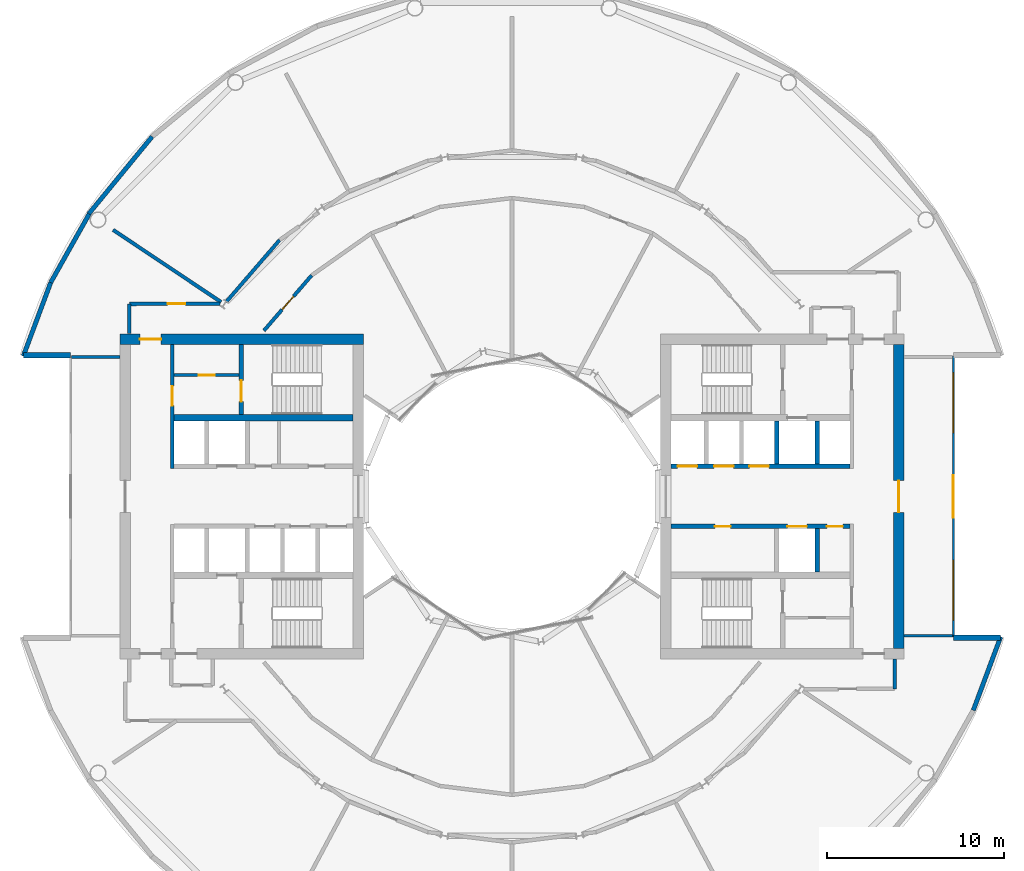
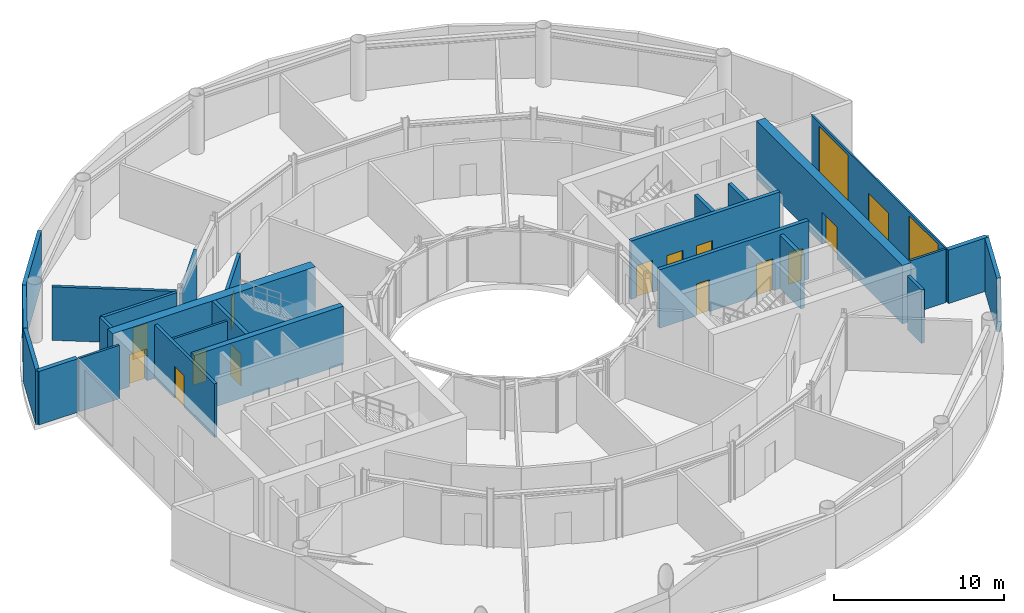
# One storey, part 13 of 18: 26 walls, 14 doors, 2 windows, 16 openings.
"""IFC4 building model written with IfcOpenShell, lengths in metres."""

import ifcopenshell
import ifcopenshell.guid

model = None  # the IFC model being written
_history = None  # IfcOwnerHistory: only IFC2X3 demands one
_inside = {}  # id of a spatial element -> (the spatial element, [elements in it])
_under = {}  # id of a project, library or spatial element -> (it, [spatial elements below it])
_declared = {}  # id of a project -> (the project, [libraries it declares])
_typed = {}  # id of a type object -> (the type object, [elements of that type])
_made_of = {}  # id of a material, layer set ... -> (it, [elements and type objects made of it])


def new_model(schema):
    """Start an empty IFC model of exactly this schema.

    Asked for "IFC4X3", IfcOpenShell would pick the latest addendum, in which some entities
    have other attributes; the version numbers below select the first issue.
    IFC2X3 requires an IfcOwnerHistory on every rooted entity: one is made here for all.
    """
    global model, _history
    if schema == "IFC4X3":
        model = ifcopenshell.file(schema_version=(4, 3, 0, 0))
    else:
        model = ifcopenshell.file(schema=schema)
    _inside.clear()
    _under.clear()
    _declared.clear()
    _typed.clear()
    _made_of.clear()
    _history = None
    if model.schema == "IFC2X3":
        org = make("IfcOrganization", Name="unknown")
        user = make(
            "IfcPersonAndOrganization",
            ThePerson=make("IfcPerson", FamilyName="unknown"),
            TheOrganization=org,
        )
        app = make(
            "IfcApplication",
            ApplicationDeveloper=org,
            Version="unknown",
            ApplicationFullName="unknown",
            ApplicationIdentifier="unknown",
        )
        _history = make(
            "IfcOwnerHistory",
            OwningUser=user,
            OwningApplication=app,
            ChangeAction="ADDED",
            CreationDate=0,
        )
    return model


def make(cls, **values):
    """One entity of the class cls with the attributes given. An attribute that is None is left unset."""
    return model.create_entity(
        cls, **{name: value for name, value in values.items() if value is not None}
    )


def rooted(cls, **values):
    """An entity with a GlobalId (a new one), such as an element, a storey or a relation."""
    return make(cls, GlobalId=ifcopenshell.guid.new(), OwnerHistory=_history, **values)


def si_unit(unit_type, name, prefix=None):
    """IfcSIUnit, for example si_unit("LENGTHUNIT", "METRE", prefix="MILLI")."""
    return make("IfcSIUnit", UnitType=unit_type, Prefix=prefix, Name=name)


def assignment(units):
    """IfcUnitAssignment: the units of a project."""
    return None if units is None else make("IfcUnitAssignment", Units=units)


def point(xyz):
    """IfcCartesianPoint."""
    return None if xyz is None else make("IfcCartesianPoint", Coordinates=xyz)


def direction(xyz):
    """IfcDirection."""
    return None if xyz is None else make("IfcDirection", DirectionRatios=xyz)


def frame(location, z_axis=None, x_axis=None):
    """IfcAxis2Placement3D, a coordinate frame: its origin and axes. An axis left out is left unset."""
    return make(
        "IfcAxis2Placement3D",
        Location=point(location),
        Axis=direction(z_axis),
        RefDirection=direction(x_axis),
    )


def frame_2d(location, x_axis=None):
    """IfcAxis2Placement2D, a coordinate frame in the plane: its origin and x axis."""
    return make(
        "IfcAxis2Placement2D", Location=point(location), RefDirection=direction(x_axis)
    )


def origin():
    """The frame at (0, 0, 0) with its axes left unset."""
    return frame((0.0, 0.0, 0.0))


def place(relative_to, where):
    """IfcLocalPlacement: puts the frame where relative to a parent placement (None: the world)."""
    return make(
        "IfcLocalPlacement", PlacementRelTo=relative_to, RelativePlacement=where
    )


def context(
    kind, dimensions, precision=None, world=None, true_north=None, identifier=None
):
    """IfcGeometricRepresentationContext, for example the 3D "Model" context."""
    return make(
        "IfcGeometricRepresentationContext",
        ContextIdentifier=identifier,
        ContextType=kind,
        CoordinateSpaceDimension=dimensions,
        Precision=precision,
        WorldCoordinateSystem=world,
        TrueNorth=true_north,
    )


def subcontext(parent, identifier, kind, view, scale=None):
    """IfcGeometricRepresentationSubContext, for example "Body" below "Model"."""
    return make(
        "IfcGeometricRepresentationSubContext",
        ContextIdentifier=identifier,
        ContextType=kind,
        ParentContext=parent,
        TargetScale=scale,
        TargetView=view,
    )


def project(units=None, contexts=None):
    """IfcProject with its units and contexts."""
    return rooted(
        "IfcProject",
        Name="project",
        RepresentationContexts=contexts,
        UnitsInContext=assignment(units),
    )


def spatial(cls, under=None, at=None, **own):
    """A site, building, storey or space (cls), placed at a placement, below another one or the project."""
    s = rooted(cls, ObjectPlacement=at, **own)
    if under is not None:
        _under.setdefault(under.id(), (under, []))[1].append(s)
    return s


def profile(cls, at=None, kind="AREA", **sizes):
    """A parametric profile (cls). Its sizes go by their IFC names, for example OverallWidth=200.0."""
    return make(cls, ProfileType=kind, Position=at, **sizes)


def rectangle(**sizes):
    """IfcRectangleProfileDef."""
    return profile("IfcRectangleProfileDef", **sizes)


def extrude(swept, where, along, depth):
    """IfcExtrudedAreaSolid: the profile swept, set in the frame where, extruded along a direction by depth."""
    return make(
        "IfcExtrudedAreaSolid",
        SweptArea=swept,
        Position=where,
        ExtrudedDirection=direction(along),
        Depth=depth,
    )


def shape(context_of_items, identifier, shape_type, items):
    """IfcShapeRepresentation: the items that make up one representation, for example the "Body"."""
    return make(
        "IfcShapeRepresentation",
        ContextOfItems=context_of_items,
        RepresentationIdentifier=identifier,
        RepresentationType=shape_type,
        Items=items,
    )


def material(Name=None, Category=None):
    """IfcMaterial."""
    return make("IfcMaterial", Name=Name, Category=Category)


def layer(
    of_material, thickness, ventilated=None, Name=None, Category=None, Priority=None
):
    """IfcMaterialLayer: one layer of a wall or slab, of a material (None: an air gap)."""
    return make(
        "IfcMaterialLayer",
        Material=of_material,
        LayerThickness=thickness,
        IsVentilated=ventilated,
        Name=Name,
        Category=Category,
        Priority=Priority,
    )


def layer_set(layers, Name=None):
    """IfcMaterialLayerSet."""
    return make("IfcMaterialLayerSet", MaterialLayers=layers, LayerSetName=Name)


def made_of(thing, what):
    """Note that an element or type object is made of a material, layer set ...; save() writes the relation."""
    if what is not None:
        _made_of.setdefault(what.id(), (what, []))[1].append(thing)
    return thing


def type_object(cls, material=None, **own):
    """A type object (cls), such as IfcWallType, which elements share."""
    return made_of(rooted(cls, **own), material)


def element(
    cls,
    number,
    at=None,
    inside=None,
    cuts=None,
    type_object=None,
    material=None,
    context=None,
    identifier="Body",
    shape_type=None,
    held_by="IfcProductDefinitionShape",
    body=None,
    shapes=None,
    **own,
):
    """One element of the class cls, such as IfcWall. Its Tag is "e" and its number.

    at: its placement. inside: the storey or other place that contains it. cuts: it is an
    opening in that element (IfcRelVoidsElement). A single representation is given by context,
    identifier, shape_type and body (its items); several are given by shapes. held_by: the class
    of the entity that holds the representations. save() writes the other relations.
    """
    e = rooted(cls, Tag="e%d" % number, ObjectPlacement=at, **own)
    if body is not None:
        shapes = [shape(context, identifier, shape_type, body)]
    if shapes is not None:
        e.Representation = make(held_by, Representations=shapes)
    if inside is not None:
        _inside.setdefault(inside.id(), (inside, []))[1].append(e)
    if cuts is not None:
        rooted(
            "IfcRelVoidsElement", RelatingBuildingElement=cuts, RelatedOpeningElement=e
        )
    if type_object is not None:
        _typed.setdefault(type_object.id(), (type_object, []))[1].append(e)
    return made_of(e, material)


def fill(opening, filler):
    """IfcRelFillsElement: the door or window that sits in an opening."""
    return rooted(
        "IfcRelFillsElement",
        RelatingOpeningElement=opening,
        RelatedBuildingElement=filler,
    )


def aggregate(whole, parts):
    """IfcRelAggregates: a whole, such as a stair, and the parts it consists of."""
    return rooted("IfcRelAggregates", RelatingObject=whole, RelatedObjects=parts)


def save(model, path):
    """Write the relations noted so far, then the file.

    IfcRelAggregates (storeys below a building ...), IfcRelContainedInSpatialStructure (elements
    in a storey), IfcRelDefinesByType, IfcRelAssociatesMaterial and IfcRelDeclares: one each for
    every whole, place, type object, material and project.
    """
    for whole, parts in _under.values():
        aggregate(whole, parts)
    for where, things in _inside.values():
        rooted(
            "IfcRelContainedInSpatialStructure",
            RelatedElements=things,
            RelatingStructure=where,
        )
    for kind, things in _typed.values():
        rooted("IfcRelDefinesByType", RelatedObjects=things, RelatingType=kind)
    for what, things in _made_of.values():
        rooted("IfcRelAssociatesMaterial", RelatedObjects=things, RelatingMaterial=what)
    for by, libraries in _declared.values():
        rooted("IfcRelDeclares", RelatingContext=by, RelatedDefinitions=libraries)
    model.write(path)


model = new_model("IFC4")

# Units and contexts
model_context = context("Model", 3, precision=1e-05, world=origin(), true_north=direction((0.0, 1.0)))
body_context = subcontext(model_context, "Body", "Model", "MODEL_VIEW")
ifc_project = project(units=[si_unit("LENGTHUNIT", "METRE"), si_unit("AREAUNIT", "SQUARE_METRE"), si_unit("VOLUMEUNIT", "CUBIC_METRE"), si_unit("PLANEANGLEUNIT", "RADIAN"), si_unit("MASSUNIT", "GRAM", prefix="KILO")], contexts=[model_context])

# Site, building, storey
site_placement = place(None, origin())
site = spatial("IfcSite", under=ifc_project, at=site_placement, CompositionType="ELEMENT")
building_placement = place(site_placement, origin())
building = spatial("IfcBuilding", under=site, at=building_placement, Name="Maasbend Ring Residences", CompositionType="ELEMENT")
storey_placement = place(building_placement, frame((0.0, 0.0, 103.25)))
storey = spatial("IfcBuildingStorey", under=building, at=storey_placement, Name="L29", CompositionType="ELEMENT", Elevation=103.25)

# Walls
ifc_material_1 = material(Name="Concrete C30/37", Category="concrete")
ifc_layer_1 = layer(ifc_material_1, 0.199951171875)
ifc_layer_set_1 = layer_set([ifc_layer_1], Name="Concrete C30/37")
wall_type_1 = type_object("IfcWallType", Name="COMPARTMENT WALL 200 CONCRETE", PredefinedType="PARTITIONING", material=ifc_layer_set_1)
wall_1_placement = place(storey_placement, frame((21.675048828125, -10.89990234375, 0.0), z_axis=(0.0, 0.0, 1.0), x_axis=(0.0, 1.0, 0.0)))
element("IfcWall", 1, at=wall_1_placement, inside=storey, type_object=wall_type_1, Name="U-L29-w002", PredefinedType="PARTITIONING", context=body_context, shape_type="SweptSolid", body=[
    extrude(rectangle(XDim=1.679931640625, YDim=0.199951171875, at=frame_2d((0.83984375, 0.0))), origin(), (0.0, 0.0, 1.0), 3.85009765625),
])
wall_2_placement = place(storey_placement, frame((-22.594970703125, 15.097900390625, 0.0), z_axis=(0.0, 0.0, 1.0), x_axis=(0.831406593008, -0.555664536482, 0.0)))
element("IfcWall", 2, at=wall_2_placement, inside=storey, type_object=wall_type_1, Name="U-L29-w031", PredefinedType="PARTITIONING", context=body_context, shape_type="SweptSolid", body=[
    extrude(rectangle(XDim=7.3583984375, YDim=0.199951171875, at=frame_2d((3.67919921875, 0.0))), origin(), (0.0, 0.0, 1.0), 3.85009765625),
])

# Wall, opening, door
wall_3_placement = place(storey_placement, frame((-21.675048828125, 10.89990234375, 0.0), z_axis=(0.0, 0.0, 1.0), x_axis=(0.999997173357, 0.002377662213, 0.0)))
wall_3 = element("IfcWall", 3, at=wall_3_placement, inside=storey, type_object=wall_type_1, Name="U-L29-w050", PredefinedType="PARTITIONING", context=body_context, shape_type="SweptSolid", body=[
    extrude(rectangle(XDim=5.134033203125, YDim=0.199951171875, at=frame_2d((2.56689453125, 0.0))), origin(), (0.0, 0.0, 1.0), 3.85009765625),
])
opening_1_placement = place(wall_3_placement, frame((2.1708984375, 0.0, 0.0)))
opening_1 = element("IfcOpeningElement", 4, at=opening_1_placement, cuts=wall_3, Name="Opening D-2920", PredefinedType="OPENING", context=body_context, shape_type="SweptSolid", body=[
    extrude(rectangle(XDim=1.0, YDim=2.300048828125, at=frame_2d((0.5, 1.14990234375))), frame((0.0, 0.10986328125, 0.0), z_axis=(0.0, -1.0, 0.0), x_axis=(1.0, 0.0, 0.0)), (0.0, 0.0, 1.0), 0.219970703125),
])
ifc_material_2 = material(Name="Steel, fire-rated, painted", Category="steel")
door_type_1 = type_object("IfcDoorType", Name="PLANT DOOR 1000 X 2300 FIRE-RATED", OperationType="NOTDEFINED", PredefinedType="DOOR", material=ifc_material_2)
door_1_placement = place(opening_1_placement, origin())
door_1 = element("IfcDoor", 5, at=door_1_placement, inside=storey, type_object=door_type_1, Name="D-2920", OperationType="SINGLE_SWING_RIGHT", OverallHeight=2.300048828125, OverallWidth=1.0, PredefinedType="DOOR", context=body_context, shape_type="SweptSolid", body=[
    extrude(rectangle(XDim=1.0, YDim=2.300048828125, at=frame_2d((0.5, 1.14990234375))), frame((0.0, 0.02490234375, 0.0), z_axis=(0.0, -1.0, 0.0), x_axis=(1.0, 0.0, 0.0)), (0.0, 0.0, 1.0), 0.050048828125),
])
fill(opening_1, door_1)

wall_4_placement = place(storey_placement, frame((-14.052001953125, 9.388916015625, 0.0), z_axis=(0.0, 0.0, 1.0), x_axis=(0.653212695939, 0.757174467256, 0.0)))
wall_4 = element("IfcWall", 6, at=wall_4_placement, inside=storey, type_object=wall_type_1, Name="U-L29-w052", PredefinedType="PARTITIONING", context=body_context, shape_type="SweptSolid", body=[
    extrude(rectangle(XDim=4.137939453125, YDim=0.199951171875, at=frame_2d((2.06884765625, 0.0))), origin(), (0.0, 0.0, 1.0), 3.85009765625),
])
opening_2_placement = place(wall_4_placement, frame((1.569091796875, 0.0, 0.0)))
opening_2 = element("IfcOpeningElement", 7, at=opening_2_placement, cuts=wall_4, Name="Opening D-2910", PredefinedType="OPENING", context=body_context, shape_type="SweptSolid", body=[
    extrude(rectangle(XDim=1.0, YDim=2.300048828125, at=frame_2d((0.5, 1.14990234375))), frame((0.0, 0.10986328125, 0.0), z_axis=(0.0, -1.0, 0.0), x_axis=(1.0, 0.0, 0.0)), (0.0, 0.0, 1.0), 0.219970703125),
])
door_2_placement = place(opening_2_placement, origin())
door_2 = element("IfcDoor", 8, at=door_2_placement, inside=storey, type_object=door_type_1, Name="D-2910", OperationType="SINGLE_SWING_RIGHT", OverallHeight=2.300048828125, OverallWidth=1.0, PredefinedType="DOOR", context=body_context, shape_type="SweptSolid", body=[
    extrude(rectangle(XDim=1.0, YDim=2.300048828125, at=frame_2d((0.5, 1.14990234375))), frame((0.0, 0.02490234375, 0.0), z_axis=(0.0, -1.0, 0.0), x_axis=(1.0, 0.0, 0.0)), (0.0, 0.0, 1.0), 0.050048828125),
])
fill(opening_2, door_2)

# Walls
wall_5_placement = place(storey_placement, frame((-16.196044921875, 11.006103515625, 0.0), z_axis=(0.0, 0.0, 1.0), x_axis=(0.653087281304, 0.757282644063, 0.0)))
element("IfcWall", 9, at=wall_5_placement, inside=storey, type_object=wall_type_1, Name="U-L29-w062", PredefinedType="PARTITIONING", context=body_context, shape_type="SweptSolid", body=[
    extrude(rectangle(XDim=4.64404296875, YDim=0.199951171875, at=frame_2d((2.322021484375, 0.0))), origin(), (0.0, 0.0, 1.0), 3.5400390625),
])
wall_6_placement = place(storey_placement, frame((-21.675048828125, 9.219970703125, 0.0), z_axis=(0.0, 0.0, 1.0), x_axis=(0.0, 1.0, 0.0)))
element("IfcWall", 10, at=wall_6_placement, inside=storey, type_object=wall_type_1, Name="U-L29-w075", PredefinedType="PARTITIONING", context=body_context, shape_type="SweptSolid", body=[
    extrude(rectangle(XDim=1.679931640625, YDim=0.199951171875, at=frame_2d((0.83984375, 0.0))), origin(), (0.0, 0.0, 1.0), 3.85009765625),
])

# Wall, openings, doors
ifc_material_3 = material(Name="Concrete C60/75", Category="concrete")
ifc_layer_2 = layer(ifc_material_3, 0.25)
ifc_layer_set_2 = layer_set([ifc_layer_2], Name="Concrete C60/75")
wall_type_2 = type_object("IfcWallType", Name="CORE WALL 250 C60/75", PredefinedType="SHEAR", material=ifc_layer_set_2)
wall_7_placement = place(storey_placement, frame((9.0, 1.699951171875, 0.0), z_axis=(0.0, 0.0, 1.0), x_axis=(1.0, 0.0, 0.0)))
wall_7 = element("IfcWall", 11, at=wall_7_placement, inside=storey, type_object=wall_type_2, Name="L29 core E wall SPN", PredefinedType="SHEAR", context=body_context, shape_type="SweptSolid", body=[
    extrude(rectangle(XDim=10.14990234375, YDim=0.25, at=frame_2d((5.074951171875, 0.0))), origin(), (0.0, 0.0, 1.0), 4.199951171875),
])
opening_3_placement = place(wall_7_placement, frame((0.387451171875, 0.0, 0.0)))
opening_3 = element("IfcOpeningElement", 12, at=opening_3_placement, cuts=wall_7, Name="Opening LD-E2901", PredefinedType="OPENING", context=body_context, shape_type="SweptSolid", body=[
    extrude(rectangle(XDim=1.10009765625, YDim=2.300048828125, at=frame_2d((0.550048828125, 1.14990234375))), frame((0.0, 0.135009765625, 0.0), z_axis=(0.0, -1.0, 0.0), x_axis=(1.0, 0.0, 0.0)), (0.0, 0.0, 1.0), 0.27001953125),
])
opening_4_placement = place(wall_7_placement, frame((2.449951171875, 0.0, 0.0)))
opening_4 = element("IfcOpeningElement", 13, at=opening_4_placement, cuts=wall_7, Name="Opening LD-E2902", PredefinedType="OPENING", context=body_context, shape_type="SweptSolid", body=[
    extrude(rectangle(XDim=1.10009765625, YDim=2.300048828125, at=frame_2d((0.550048828125, 1.14990234375))), frame((0.0, 0.135009765625, 0.0), z_axis=(0.0, -1.0, 0.0), x_axis=(1.0, 0.0, 0.0)), (0.0, 0.0, 1.0), 0.27001953125),
])
opening_5_placement = place(wall_7_placement, frame((4.449951171875, 0.0, 0.0)))
opening_5 = element("IfcOpeningElement", 14, at=opening_5_placement, cuts=wall_7, Name="Opening LD-E2903", PredefinedType="OPENING", context=body_context, shape_type="SweptSolid", body=[
    extrude(rectangle(XDim=1.10009765625, YDim=2.300048828125, at=frame_2d((0.550048828125, 1.14990234375))), frame((0.0, 0.135009765625, 0.0), z_axis=(0.0, -1.0, 0.0), x_axis=(1.0, 0.0, 0.0)), (0.0, 0.0, 1.0), 0.27001953125),
])
ifc_material_4 = material(Name="Stainless steel 316", Category="steel")
door_type_2 = type_object("IfcDoorType", Name="LANDING DOOR 1100 X 2300 FD60", OperationType="DOUBLE_DOOR_SLIDING", PredefinedType="DOOR", material=ifc_material_4)
door_3_placement = place(opening_3_placement, origin())
door_3 = element("IfcDoor", 15, at=door_3_placement, inside=storey, type_object=door_type_2, Name="Landing door LR-E1 L29", OperationType="DOUBLE_DOOR_SLIDING", OverallHeight=2.300048828125, OverallWidth=1.10009765625, PredefinedType="DOOR", context=body_context, shape_type="SweptSolid", body=[
    extrude(rectangle(XDim=1.10009765625, YDim=2.300048828125, at=frame_2d((0.550048828125, 1.14990234375))), frame((0.0, 0.02490234375, 0.0), z_axis=(0.0, -1.0, 0.0), x_axis=(1.0, 0.0, 0.0)), (0.0, 0.0, 1.0), 0.050048828125),
])
fill(opening_3, door_3)
door_4_placement = place(opening_4_placement, origin())
door_4 = element("IfcDoor", 16, at=door_4_placement, inside=storey, type_object=door_type_2, Name="Landing door LR-E2 L29", OperationType="DOUBLE_DOOR_SLIDING", OverallHeight=2.300048828125, OverallWidth=1.10009765625, PredefinedType="DOOR", context=body_context, shape_type="SweptSolid", body=[
    extrude(rectangle(XDim=1.10009765625, YDim=2.300048828125, at=frame_2d((0.550048828125, 1.14990234375))), frame((0.0, 0.02490234375, 0.0), z_axis=(0.0, -1.0, 0.0), x_axis=(1.0, 0.0, 0.0)), (0.0, 0.0, 1.0), 0.050048828125),
])
fill(opening_4, door_4)
door_5_placement = place(opening_5_placement, origin())
door_5 = element("IfcDoor", 17, at=door_5_placement, inside=storey, type_object=door_type_2, Name="Landing door LR-E3 L29", OperationType="DOUBLE_DOOR_SLIDING", OverallHeight=2.300048828125, OverallWidth=1.10009765625, PredefinedType="DOOR", context=body_context, shape_type="SweptSolid", body=[
    extrude(rectangle(XDim=1.10009765625, YDim=2.300048828125, at=frame_2d((0.550048828125, 1.14990234375))), frame((0.0, 0.02490234375, 0.0), z_axis=(0.0, -1.0, 0.0), x_axis=(1.0, 0.0, 0.0)), (0.0, 0.0, 1.0), 0.050048828125),
])
fill(opening_5, door_5)

wall_8_placement = place(storey_placement, frame((19.14990234375, -1.699951171875, 0.0), z_axis=(0.0, 0.0, 1.0), x_axis=(-1.0, 0.0, 0.0)))
wall_8 = element("IfcWall", 18, at=wall_8_placement, inside=storey, type_object=wall_type_2, Name="L29 core E wall SPS", PredefinedType="SHEAR", context=body_context, shape_type="SweptSolid", body=[
    extrude(rectangle(XDim=10.14990234375, YDim=0.25, at=frame_2d((5.074951171875, 0.0))), origin(), (0.0, 0.0, 1.0), 4.199951171875),
])
opening_6_placement = place(wall_8_placement, frame((2.449951171875, 0.0, 0.0)))
opening_6 = element("IfcOpeningElement", 19, at=opening_6_placement, cuts=wall_8, Name="Opening LD-E2905", PredefinedType="OPENING", context=body_context, shape_type="SweptSolid", body=[
    extrude(rectangle(XDim=1.10009765625, YDim=2.300048828125, at=frame_2d((0.550048828125, 1.14990234375))), frame((0.0, 0.135009765625, 0.0), z_axis=(0.0, -1.0, 0.0), x_axis=(1.0, 0.0, 0.0)), (0.0, 0.0, 1.0), 0.27001953125),
])
opening_7_placement = place(wall_8_placement, frame((6.762451171875, 0.0, 0.0)))
opening_7 = element("IfcOpeningElement", 20, at=opening_7_placement, cuts=wall_8, Name="Opening D-E2906", PredefinedType="OPENING", context=body_context, shape_type="SweptSolid", body=[
    extrude(rectangle(XDim=0.89990234375, YDim=2.300048828125, at=frame_2d((0.449951171875, 1.14990234375))), frame((0.0, 0.135009765625, 0.0), z_axis=(0.0, -1.0, 0.0), x_axis=(1.0, 0.0, 0.0)), (0.0, 0.0, 1.0), 0.27001953125),
])
opening_8_placement = place(wall_8_placement, frame((0.41259765625, 0.0, 0.0)))
opening_8 = element("IfcOpeningElement", 21, at=opening_8_placement, cuts=wall_8, Name="Opening D-E2907", PredefinedType="OPENING", context=body_context, shape_type="SweptSolid", body=[
    extrude(rectangle(XDim=0.89990234375, YDim=2.300048828125, at=frame_2d((0.449951171875, 1.14990234375))), frame((0.0, 0.135009765625, 0.0), z_axis=(0.0, -1.0, 0.0), x_axis=(1.0, 0.0, 0.0)), (0.0, 0.0, 1.0), 0.27001953125),
])
door_6_placement = place(opening_6_placement, origin())
door_6 = element("IfcDoor", 22, at=door_6_placement, inside=storey, type_object=door_type_2, Name="Landing door SV-E L29", OperationType="DOUBLE_DOOR_SLIDING", OverallHeight=2.300048828125, OverallWidth=1.10009765625, PredefinedType="DOOR", context=body_context, shape_type="SweptSolid", body=[
    extrude(rectangle(XDim=1.10009765625, YDim=2.300048828125, at=frame_2d((0.550048828125, 1.14990234375))), frame((0.0, 0.02490234375, 0.0), z_axis=(0.0, -1.0, 0.0), x_axis=(1.0, 0.0, 0.0)), (0.0, 0.0, 1.0), 0.050048828125),
])
fill(opening_6, door_6)
ifc_material_5 = material(Name="Steel, powder coated", Category="steel")
door_type_3 = type_object("IfcDoorType", Name="ROOM DOOR 900 X 2300 FD30S", OperationType="NOTDEFINED", PredefinedType="DOOR", material=ifc_material_5)
door_7_placement = place(opening_7_placement, origin())
door_7 = element("IfcDoor", 23, at=door_7_placement, inside=storey, type_object=door_type_3, Name="Room door L29", OperationType="SINGLE_SWING_LEFT", OverallHeight=2.300048828125, OverallWidth=0.89990234375, PredefinedType="DOOR", context=body_context, shape_type="SweptSolid", body=[
    extrude(rectangle(XDim=0.89990234375, YDim=2.300048828125, at=frame_2d((0.449951171875, 1.14990234375))), frame((0.0, 0.02490234375, 0.0), z_axis=(0.0, -1.0, 0.0), x_axis=(1.0, 0.0, 0.0)), (0.0, 0.0, 1.0), 0.050048828125),
])
fill(opening_7, door_7)
door_8_placement = place(opening_8_placement, origin())
door_8 = element("IfcDoor", 24, at=door_8_placement, inside=storey, type_object=door_type_3, Name="Room door L29", OperationType="SINGLE_SWING_RIGHT", OverallHeight=2.300048828125, OverallWidth=0.89990234375, PredefinedType="DOOR", context=body_context, shape_type="SweptSolid", body=[
    extrude(rectangle(XDim=0.89990234375, YDim=2.300048828125, at=frame_2d((0.449951171875, 1.14990234375))), frame((0.0, 0.02490234375, 0.0), z_axis=(0.0, -1.0, 0.0), x_axis=(1.0, 0.0, 0.0)), (0.0, 0.0, 1.0), 0.050048828125),
])
fill(opening_8, door_8)

# Wall, opening, door
wall_9_placement = place(storey_placement, frame((-15.324951171875, 8.60009765625, 0.0), z_axis=(0.0, 0.0, 1.0), x_axis=(0.0, -1.0, 0.0)))
wall_9 = element("IfcWall", 25, at=wall_9_placement, inside=storey, type_object=wall_type_2, Name="L29 core W wall STES", PredefinedType="SHEAR", context=body_context, shape_type="SweptSolid", body=[
    extrude(rectangle(XDim=3.9501953125, YDim=0.25, at=frame_2d((1.97509765625, 0.0))), origin(), (0.0, 0.0, 1.0), 4.199951171875),
])
opening_9_placement = place(wall_9_placement, frame((2.02490234375, 0.0, 0.0)))
opening_9 = element("IfcOpeningElement", 26, at=opening_9_placement, cuts=wall_9, Name="Opening D-W2910", PredefinedType="OPENING", context=body_context, shape_type="SweptSolid", body=[
    extrude(rectangle(XDim=1.199951171875, YDim=2.300048828125, at=frame_2d((0.60009765625, 1.14990234375))), frame((0.0, 0.135009765625, 0.0), z_axis=(0.0, -1.0, 0.0), x_axis=(1.0, 0.0, 0.0)), (0.0, 0.0, 1.0), 0.27001953125),
])
ifc_material_6 = material(Name="Steel, powder coated", Category="steel")
door_type_4 = type_object("IfcDoorType", Name="STAIR DOOR 1200 X 2300 FD60", OperationType="NOTDEFINED", PredefinedType="DOOR", material=ifc_material_6)
door_9_placement = place(opening_9_placement, origin())
door_9 = element("IfcDoor", 27, at=door_9_placement, inside=storey, type_object=door_type_4, Name="Stair door ST-W L29", OperationType="SINGLE_SWING_LEFT", OverallHeight=2.300048828125, OverallWidth=1.199951171875, PredefinedType="DOOR", context=body_context, shape_type="SweptSolid", body=[
    extrude(rectangle(XDim=1.199951171875, YDim=2.300048828125, at=frame_2d((0.60009765625, 1.14990234375))), frame((0.0, 0.02490234375, 0.0), z_axis=(0.0, -1.0, 0.0), x_axis=(1.0, 0.0, 0.0)), (0.0, 0.0, 1.0), 0.050048828125),
])
fill(opening_9, door_9)

# Wall
ifc_material_7 = material(Name="Concrete C60/75", Category="concrete")
ifc_layer_3 = layer(ifc_material_7, 0.375)
ifc_layer_set_3 = layer_set([ifc_layer_3], Name="Concrete C60/75")
wall_type_3 = type_object("IfcWallType", Name="CORE WALL 375 C60/75", PredefinedType="SHEAR", material=ifc_layer_set_3)
wall_10_placement = place(storey_placement, frame((-9.0, 4.46240234375, 0.0), z_axis=(0.0, 0.0, 1.0), x_axis=(-1.0, 0.0, 0.0)))
element("IfcWall", 28, at=wall_10_placement, inside=storey, type_object=wall_type_3, Name="L29 core W wall BS", PredefinedType="SHEAR", context=body_context, shape_type="SweptSolid", body=[
    extrude(rectangle(XDim=10.14990234375, YDim=0.375, at=frame_2d((5.074951171875, 0.0))), origin(), (0.0, 0.0, 1.0), 4.199951171875),
])

# Wall, opening, door
ifc_material_8 = material(Name="Concrete C60/75", Category="concrete")
ifc_layer_4 = layer(ifc_material_8, 0.60009765625)
ifc_layer_set_4 = layer_set([ifc_layer_4], Name="Concrete C60/75")
wall_type_4 = type_object("IfcWallType", Name="CORE WALL 600 C60/75", PredefinedType="SHEAR", material=ifc_layer_set_4)
wall_11_placement = place(storey_placement, frame((21.89990234375, 8.60009765625, 0.0), z_axis=(0.0, 0.0, 1.0), x_axis=(0.0, -1.0, 0.0)))
wall_11 = element("IfcWall", 29, at=wall_11_placement, inside=storey, type_object=wall_type_4, Name="L29 core E wall POUT", PredefinedType="SHEAR", context=body_context, shape_type="SweptSolid", body=[
    extrude(rectangle(XDim=17.2001953125, YDim=0.60009765625, at=frame_2d((8.60009765625, 0.0))), origin(), (0.0, 0.0, 1.0), 4.199951171875),
])
opening_10_placement = place(wall_11_placement, frame((7.699951171875, 0.0, 0.0)))
opening_10 = element("IfcOpeningElement", 30, at=opening_10_placement, cuts=wall_11, Name="Opening D-E2916", PredefinedType="OPENING", context=body_context, shape_type="SweptSolid", body=[
    extrude(rectangle(XDim=1.800048828125, YDim=2.300048828125, at=frame_2d((0.89990234375, 1.14990234375))), frame((0.0, 0.31005859375, 0.0), z_axis=(0.0, -1.0, 0.0), x_axis=(1.0, 0.0, 0.0)), (0.0, 0.0, 1.0), 0.6201171875),
])
ifc_material_9 = material(Name="Aluminium frame, clear glass", Category="aluminium")
door_type_5 = type_object("IfcDoorType", Name="ENTRANCE DOOR 1800 X 2300 FD60", OperationType="NOTDEFINED", PredefinedType="DOOR", material=ifc_material_9)
door_10_placement = place(opening_10_placement, origin())
door_10 = element("IfcDoor", 31, at=door_10_placement, inside=storey, type_object=door_type_5, Name="Lobby glazed door L29", OperationType="SINGLE_SWING_LEFT", OverallHeight=2.300048828125, OverallWidth=1.800048828125, PredefinedType="DOOR", context=body_context, shape_type="SweptSolid", body=[
    extrude(rectangle(XDim=1.800048828125, YDim=2.300048828125, at=frame_2d((0.89990234375, 1.14990234375))), frame((0.0, 0.02490234375, 0.0), z_axis=(0.0, -1.0, 0.0), x_axis=(1.0, 0.0, 0.0)), (0.0, 0.0, 1.0), 0.050048828125),
])
fill(opening_10, door_10)

wall_12_placement = place(storey_placement, frame((-8.39990234375, 8.89990234375, 0.0), z_axis=(0.0, 0.0, 1.0), x_axis=(-1.0, 0.0, 0.0)))
wall_12 = element("IfcWall", 32, at=wall_12_placement, inside=storey, type_object=wall_type_4, Name="L29 core W wall PS", PredefinedType="SHEAR", context=body_context, shape_type="SweptSolid", body=[
    extrude(rectangle(XDim=13.800048828125, YDim=0.60009765625, at=frame_2d((6.89990234375, 0.0))), origin(), (0.0, 0.0, 1.0), 4.199951171875),
])
opening_11_placement = place(wall_12_placement, frame((11.47509765625, 0.0, 0.0)))
opening_11 = element("IfcOpeningElement", 33, at=opening_11_placement, cuts=wall_12, Name="Opening D-W2914", PredefinedType="OPENING", context=body_context, shape_type="SweptSolid", body=[
    extrude(rectangle(XDim=1.199951171875, YDim=2.300048828125, at=frame_2d((0.60009765625, 1.14990234375))), frame((0.0, 0.31005859375, 0.0), z_axis=(0.0, -1.0, 0.0), x_axis=(1.0, 0.0, 0.0)), (0.0, 0.0, 1.0), 0.6201171875),
])
ifc_material_10 = material(Name="Steel, powder coated", Category="steel")
door_type_6 = type_object("IfcDoorType", Name="CORRIDOR DOOR 1200 X 2300 FD30S", OperationType="NOTDEFINED", PredefinedType="DOOR", material=ifc_material_10)
door_11_placement = place(opening_11_placement, origin())
door_11 = element("IfcDoor", 34, at=door_11_placement, inside=storey, type_object=door_type_6, Name="Corridor door L29", OperationType="SINGLE_SWING_LEFT", OverallHeight=2.300048828125, OverallWidth=1.199951171875, PredefinedType="DOOR", context=body_context, shape_type="SweptSolid", body=[
    extrude(rectangle(XDim=1.199951171875, YDim=2.300048828125, at=frame_2d((0.60009765625, 1.14990234375))), frame((0.0, 0.02490234375, 0.0), z_axis=(0.0, -1.0, 0.0), x_axis=(1.0, 0.0, 0.0)), (0.0, 0.0, 1.0), 0.050048828125),
])
fill(opening_11, door_11)

# Walls
ifc_material_11 = material(Name="Louvred aluminium panel", Category="aluminium")
ifc_layer_5 = layer(ifc_material_11, 0.25)
ifc_layer_set_5 = layer_set([ifc_layer_5], Name="EW-LV")
wall_type_5 = type_object("IfcWallType", Name="EW-LV", PredefinedType="SOLIDWALL", material=ifc_layer_set_5)
wall_13_placement = place(storey_placement, frame((-20.382080078125, 20.382080078125, 0.0), z_axis=(0.0, 0.0, 1.0), x_axis=(-0.634403999748, -0.773001659186, 0.0)))
element("IfcWall", 35, at=wall_13_placement, inside=storey, type_object=wall_type_5, Name="External wall N10", PredefinedType="SOLIDWALL", context=body_context, shape_type="SweptSolid", body=[
    extrude(rectangle(XDim=5.65087890625, YDim=0.25, at=frame_2d((2.825439453125, 0.0))), origin(), (0.0, 0.0, 1.0), 3.85009765625),
])
wall_14_placement = place(storey_placement, frame((26.126953125, -12.116943359375, 0.0), z_axis=(0.0, 0.0, 1.0), x_axis=(0.349247811493, 0.937030397675, 0.0)))
element("IfcWall", 36, at=wall_14_placement, inside=storey, type_object=wall_type_5, Name="Horn wall 2.2", PredefinedType="SOLIDWALL", context=body_context, shape_type="SweptSolid", body=[
    extrude(rectangle(XDim=4.4521484375, YDim=0.25, at=frame_2d((2.22607421875, 0.0))), origin(), (0.0, 0.0, 1.0), 3.85009765625),
])
wall_15_placement = place(storey_placement, frame((-23.946044921875, 16.0, 0.0), z_axis=(0.0, 0.0, 1.0), x_axis=(-0.489696356642, -0.871893042919, 0.0)))
element("IfcWall", 37, at=wall_15_placement, inside=storey, type_object=wall_type_5, Name="Horn wall 4.1", PredefinedType="SOLIDWALL", context=body_context, shape_type="SweptSolid", body=[
    extrude(rectangle(XDim=4.45361328125, YDim=0.25, at=frame_2d((2.226806640625, 0.0))), origin(), (0.0, 0.0, 1.0), 3.85009765625),
])
wall_16_placement = place(storey_placement, frame((-26.126953125, 12.116943359375, 0.0), z_axis=(0.0, 0.0, 1.0), x_axis=(-0.349247811493, -0.937030397675, 0.0)))
element("IfcWall", 38, at=wall_16_placement, inside=storey, type_object=wall_type_5, Name="Horn wall 4.2", PredefinedType="SOLIDWALL", context=body_context, shape_type="SweptSolid", body=[
    extrude(rectangle(XDim=4.4521484375, YDim=0.25, at=frame_2d((2.22607421875, 0.0))), origin(), (0.0, 0.0, 1.0), 3.85009765625),
])
ifc_material_12 = material(Name="Aluminium clad insulated panel", Category="aluminium")
ifc_layer_6 = layer(ifc_material_12, 0.300048828125)
ifc_layer_set_6 = layer_set([ifc_layer_6], Name="EW-RET")
wall_type_6 = type_object("IfcWallType", Name="EW-RET", PredefinedType="SOLIDWALL", material=ifc_layer_set_6)
for number, where, z_axis, x_axis, name in (
    (39, (25.0, -8.0, 0.0), (0.0, 0.0, 1.0), (1.0, 0.0, 0.0), "Notch return wall east south"),
    (40, (-25.0, 8.0, 0.0), (0.0, 0.0, 1.0), (-1.0, 0.0, 0.0), "Notch return wall west north"),
):
    element("IfcWall", number, at=place(storey_placement, frame(where, z_axis=z_axis, x_axis=x_axis)), inside=storey, type_object=wall_type_6, Name=name, PredefinedType="SOLIDWALL", context=body_context, shape_type="SweptSolid", body=[
        extrude(rectangle(XDim=2.6669921875, YDim=0.300048828125, at=frame_2d((1.33349609375, 0.0))), origin(), (0.0, 0.0, 1.0), 3.85009765625),
    ])

# Wall, openings, door, windows
ifc_material_13 = material(Name="Aluminium frame and clear glass", Category="aluminium")
ifc_layer_7 = layer(ifc_material_13, 0.1201171875)
ifc_layer_set_7 = layer_set([ifc_layer_7], Name="GLAZED SCREEN WALL 120 EI 60")
wall_type_7 = type_object("IfcWallType", Name="GLAZED SCREEN WALL 120 EI 60", PredefinedType="PARTITIONING", material=ifc_layer_set_7)
wall_17_placement = place(storey_placement, frame((25.0, 7.949951171875, 0.0), z_axis=(0.0, 0.0, 1.0), x_axis=(0.0, -1.0, 0.0)))
wall_17 = element("IfcWall", 41, at=wall_17_placement, inside=storey, type_object=wall_type_7, Name="L29 core E wall FACE", PredefinedType="PARTITIONING", context=body_context, shape_type="SweptSolid", body=[
    extrude(rectangle(XDim=15.89990234375, YDim=0.1201171875, at=frame_2d((7.949951171875, 0.0))), origin(), (0.0, 0.0, 1.0), 3.85009765625),
])
opening_12_placement = place(wall_17_placement, frame((6.75, 0.0, 0.0)))
opening_12 = element("IfcOpeningElement", 42, at=opening_12_placement, cuts=wall_17, Name="Opening D-E2917", PredefinedType="OPENING", context=body_context, shape_type="SweptSolid", body=[
    extrude(rectangle(XDim=2.39990234375, YDim=2.300048828125, at=frame_2d((1.199951171875, 1.14990234375))), frame((0.0, 0.070068359375, 0.0), z_axis=(0.0, -1.0, 0.0), x_axis=(1.0, 0.0, 0.0)), (0.0, 0.0, 1.0), 0.14013671875),
])
opening_13_placement = place(wall_17_placement, frame((11.550048828125, 0.0, 0.10009765625)))
opening_13 = element("IfcOpeningElement", 43, at=opening_13_placement, cuts=wall_17, Name="Opening W-E2902", PredefinedType="OPENING", context=body_context, shape_type="SweptSolid", body=[
    extrude(rectangle(XDim=3.39990234375, YDim=3.5, at=frame_2d((1.699951171875, 1.75))), frame((0.0, 0.070068359375, 0.0), z_axis=(0.0, -1.0, 0.0), x_axis=(1.0, 0.0, 0.0)), (0.0, 0.0, 1.0), 0.14013671875),
])
opening_14_placement = place(wall_17_placement, frame((0.949951171875, 0.0, 0.10009765625)))
opening_14 = element("IfcOpeningElement", 44, at=opening_14_placement, cuts=wall_17, Name="Opening W-E2903", PredefinedType="OPENING", context=body_context, shape_type="SweptSolid", body=[
    extrude(rectangle(XDim=3.39990234375, YDim=3.5, at=frame_2d((1.699951171875, 1.75))), frame((0.0, 0.070068359375, 0.0), z_axis=(0.0, -1.0, 0.0), x_axis=(1.0, 0.0, 0.0)), (0.0, 0.0, 1.0), 0.14013671875),
])
ifc_material_14 = material(Name="Aluminium frame, clear glass", Category="aluminium")
door_type_7 = type_object("IfcDoorType", Name="ENTRANCE DOOR 2400 X 2300 FD60", OperationType="NOTDEFINED", PredefinedType="DOOR", material=ifc_material_14)
door_12_placement = place(opening_12_placement, origin())
door_12 = element("IfcDoor", 45, at=door_12_placement, inside=storey, type_object=door_type_7, Name="Lobby glazed door L29", OperationType="SINGLE_SWING_LEFT", OverallHeight=2.300048828125, OverallWidth=2.39990234375, PredefinedType="DOOR", context=body_context, shape_type="SweptSolid", body=[
    extrude(rectangle(XDim=2.39990234375, YDim=2.300048828125, at=frame_2d((1.199951171875, 1.14990234375))), frame((0.0, 0.02490234375, 0.0), z_axis=(0.0, -1.0, 0.0), x_axis=(1.0, 0.0, 0.0)), (0.0, 0.0, 1.0), 0.050048828125),
])
fill(opening_12, door_12)
ifc_material_15 = material(Name="Aluminium frame and clear glass", Category="aluminium")
window_type = type_object("IfcWindowType", Name="FIXED WINDOW 3400 X 3500", PartitioningType="SINGLE_PANEL", PredefinedType="WINDOW", material=ifc_material_15)
window_1_placement = place(opening_13_placement, origin())
window_1 = element("IfcWindow", 46, at=window_1_placement, inside=storey, type_object=window_type, Name="Lobby window L29", OverallHeight=3.5, OverallWidth=3.39990234375, PartitioningType="SINGLE_PANEL", PredefinedType="WINDOW", context=body_context, shape_type="SweptSolid", body=[
    extrude(rectangle(XDim=3.39990234375, YDim=3.5, at=frame_2d((1.699951171875, 1.75))), frame((0.0, 0.030029296875, 0.0), z_axis=(0.0, -1.0, 0.0), x_axis=(1.0, 0.0, 0.0)), (0.0, 0.0, 1.0), 0.06005859375),
])
fill(opening_13, window_1)
window_2_placement = place(opening_14_placement, origin())
window_2 = element("IfcWindow", 47, at=window_2_placement, inside=storey, type_object=window_type, Name="Lobby window L29", OverallHeight=3.5, OverallWidth=3.39990234375, PartitioningType="SINGLE_PANEL", PredefinedType="WINDOW", context=body_context, shape_type="SweptSolid", body=[
    extrude(rectangle(XDim=3.39990234375, YDim=3.5, at=frame_2d((1.699951171875, 1.75))), frame((0.0, 0.030029296875, 0.0), z_axis=(0.0, -1.0, 0.0), x_axis=(1.0, 0.0, 0.0)), (0.0, 0.0, 1.0), 0.06005859375),
])
fill(opening_14, window_2)

# Wall
ifc_material_16 = material(Name="Gypsum board on steel studs", Category="steel")
ifc_layer_8 = layer(ifc_material_16, 0.14990234375)
ifc_layer_set_8 = layer_set([ifc_layer_8], Name="PARTITION 150 EI 60")
wall_type_8 = type_object("IfcWallType", Name="PARTITION 150 EI 60", PredefinedType="PARTITIONING", material=ifc_layer_set_8)
wall_18_placement = place(storey_placement, frame((22.199951171875, -7.89990234375, 0.0), z_axis=(0.0, 0.0, 1.0), x_axis=(1.0, 0.0, 0.0)))
element("IfcWall", 48, at=wall_18_placement, inside=storey, type_object=wall_type_8, Name="L29 core E wall CITS", PredefinedType="PARTITIONING", context=body_context, shape_type="SweptSolid", body=[
    extrude(rectangle(XDim=2.739990234375, YDim=0.14990234375, at=frame_2d((1.3701171875, 0.0))), origin(), (0.0, 0.0, 1.0), 3.85009765625),
])

# Wall, opening, door
wall_19_placement = place(storey_placement, frame((-15.449951171875, 6.875, 0.0), z_axis=(0.0, 0.0, 1.0), x_axis=(-1.0, 0.0, 0.0)))
wall_19 = element("IfcWall", 49, at=wall_19_placement, inside=storey, type_object=wall_type_8, Name="L29 core W wall RHS", PredefinedType="PARTITIONING", context=body_context, shape_type="SweptSolid", body=[
    extrude(rectangle(XDim=3.699951171875, YDim=0.14990234375, at=frame_2d((1.85009765625, 0.0))), origin(), (0.0, 0.0, 1.0), 3.85009765625),
])
opening_15_placement = place(wall_19_placement, frame((1.39990234375, 0.0, 0.0)))
opening_15 = element("IfcOpeningElement", 50, at=opening_15_placement, cuts=wall_19, Name="Opening D-W2908", PredefinedType="OPENING", context=body_context, shape_type="SweptSolid", body=[
    extrude(rectangle(XDim=0.89990234375, YDim=2.300048828125, at=frame_2d((0.449951171875, 1.14990234375))), frame((0.0, 0.0849609375, 0.0), z_axis=(0.0, -1.0, 0.0), x_axis=(1.0, 0.0, 0.0)), (0.0, 0.0, 1.0), 0.169921875),
])
ifc_material_17 = material(Name="Steel, powder coated", Category="steel")
door_type_8 = type_object("IfcDoorType", Name="RISER DOOR 900 X 2300 FD60", OperationType="NOTDEFINED", PredefinedType="DOOR", material=ifc_material_17)
door_13_placement = place(opening_15_placement, origin())
door_13 = element("IfcDoor", 51, at=door_13_placement, inside=storey, type_object=door_type_8, Name="Riser door L29", OperationType="SINGLE_SWING_LEFT", OverallHeight=2.300048828125, OverallWidth=0.89990234375, PredefinedType="DOOR", context=body_context, shape_type="SweptSolid", body=[
    extrude(rectangle(XDim=0.89990234375, YDim=2.300048828125, at=frame_2d((0.449951171875, 1.14990234375))), frame((0.0, 0.02490234375, 0.0), z_axis=(0.0, -1.0, 0.0), x_axis=(1.0, 0.0, 0.0)), (0.0, 0.0, 1.0), 0.050048828125),
])
fill(opening_15, door_13)

# Wall
wall_20_placement = place(storey_placement, frame((-22.199951171875, 7.89990234375, 0.0), z_axis=(0.0, 0.0, 1.0), x_axis=(-1.0, 0.0, 0.0)))
element("IfcWall", 52, at=wall_20_placement, inside=storey, type_object=wall_type_8, Name="L29 core W wall CITS", PredefinedType="PARTITIONING", context=body_context, shape_type="SweptSolid", body=[
    extrude(rectangle(XDim=2.739990234375, YDim=0.14990234375, at=frame_2d((1.3701171875, 0.0))), origin(), (0.0, 0.0, 1.0), 3.85009765625),
])

# Wall, opening, door
ifc_material_18 = material(Name="Concrete C30/37", Category="concrete")
ifc_layer_9 = layer(ifc_material_18, 0.199951171875)
ifc_layer_set_9 = layer_set([ifc_layer_9], Name="Concrete C30/37")
wall_type_9 = type_object("IfcWallType", Name="SHAFT WALL 200 EI 120", PredefinedType="SOLIDWALL", material=ifc_layer_set_9)
wall_21_placement = place(storey_placement, frame((-19.25, 8.60009765625, 0.0), z_axis=(0.0, 0.0, 1.0), x_axis=(0.0, -1.0, 0.0)))
wall_21 = element("IfcWall", 53, at=wall_21_placement, inside=storey, type_object=wall_type_9, Name="L29 core W wall ENDS", PredefinedType="SOLIDWALL", context=body_context, shape_type="SweptSolid", body=[
    extrude(rectangle(XDim=7.025146484375, YDim=0.199951171875, at=frame_2d((3.5126953125, 0.0))), origin(), (0.0, 0.0, 1.0), 3.85009765625),
])
opening_16_placement = place(wall_21_placement, frame((2.35009765625, 0.0, 0.0)))
opening_16 = element("IfcOpeningElement", 54, at=opening_16_placement, cuts=wall_21, Name="Opening D-W2912", PredefinedType="OPENING", context=body_context, shape_type="SweptSolid", body=[
    extrude(rectangle(XDim=1.10009765625, YDim=2.300048828125, at=frame_2d((0.550048828125, 1.14990234375))), frame((0.0, 0.10986328125, 0.0), z_axis=(0.0, -1.0, 0.0), x_axis=(1.0, 0.0, 0.0)), (0.0, 0.0, 1.0), 0.219970703125),
])
ifc_material_19 = material(Name="Steel, powder coated", Category="steel")
door_type_9 = type_object("IfcDoorType", Name="LOBBY DOOR 1100 X 2300 FD60", OperationType="NOTDEFINED", PredefinedType="DOOR", material=ifc_material_19)
door_14_placement = place(opening_16_placement, origin())
door_14 = element("IfcDoor", 55, at=door_14_placement, inside=storey, type_object=door_type_9, Name="Lobby door L29", OperationType="SINGLE_SWING_RIGHT", OverallHeight=2.300048828125, OverallWidth=1.10009765625, PredefinedType="DOOR", context=body_context, shape_type="SweptSolid", body=[
    extrude(rectangle(XDim=1.10009765625, YDim=2.300048828125, at=frame_2d((0.550048828125, 1.14990234375))), frame((0.0, 0.02490234375, 0.0), z_axis=(0.0, -1.0, 0.0), x_axis=(1.0, 0.0, 0.0)), (0.0, 0.0, 1.0), 0.050048828125),
])
fill(opening_16, door_14)

# Walls
ifc_material_20 = material(Name="Concrete C30/37", Category="concrete")
ifc_layer_10 = layer(ifc_material_20, 0.25)
ifc_layer_set_10 = layer_set([ifc_layer_10], Name="Concrete C30/37")
wall_type_10 = type_object("IfcWallType", Name="SHAFT WALL 250 EI 120", PredefinedType="SOLIDWALL", material=ifc_layer_set_10)
for number, where, z_axis, x_axis, name in (
    (56, (15.0, 1.824951171875, 0.0), (0.0, 0.0, 1.0), (0.0, 1.0, 0.0), "L29 core E wall D150N"),
    (57, (17.300048828125, 1.824951171875, 0.0), (0.0, 0.0, 1.0), (0.0, 1.0, 0.0), "L29 core E wall D173N"),
    (58, (17.300048828125, -1.824951171875, 0.0), (0.0, 0.0, 1.0), (0.0, -1.0, 0.0), "L29 core E wall D173S"),
):
    element("IfcWall", number, at=place(storey_placement, frame(where, z_axis=z_axis, x_axis=x_axis)), inside=storey, type_object=wall_type_10, Name=name, PredefinedType="SOLIDWALL", context=body_context, shape_type="SweptSolid", body=[
        extrude(rectangle(XDim=2.449951171875, YDim=0.25, at=frame_2d((1.22509765625, 0.0))), origin(), (0.0, 0.0, 1.0), 3.85009765625),
    ])

save(model, "model.ifc")
